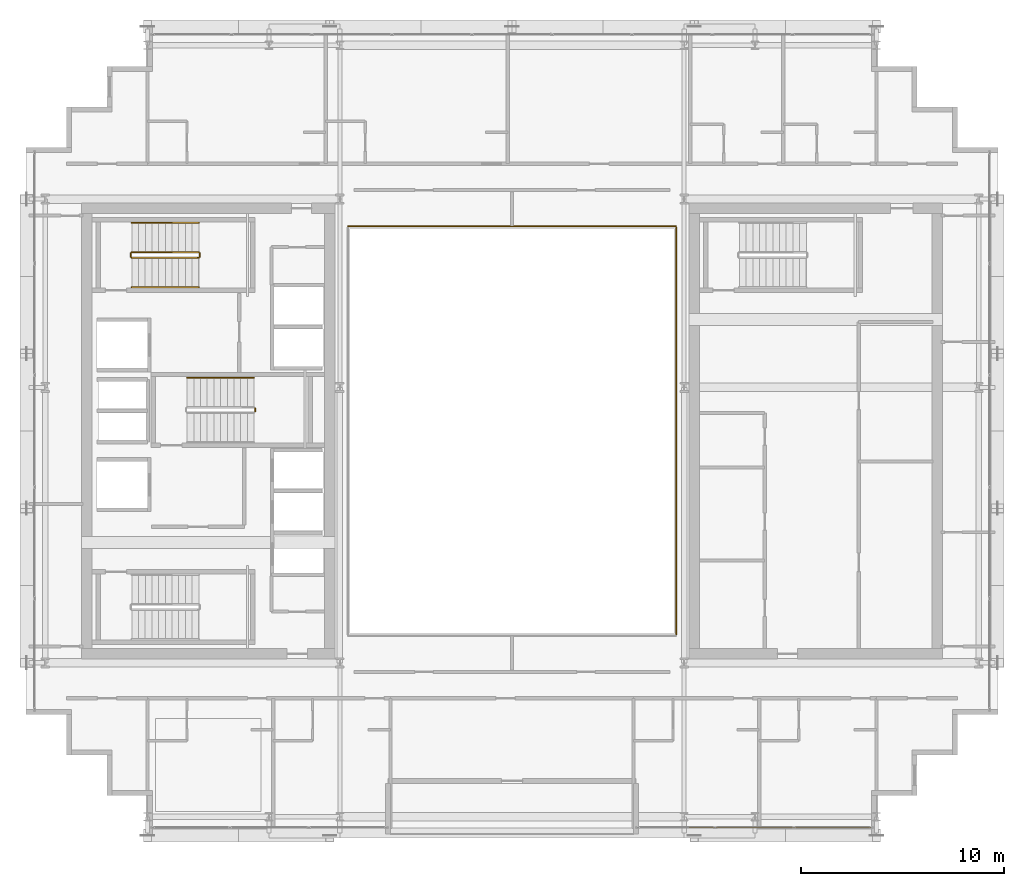
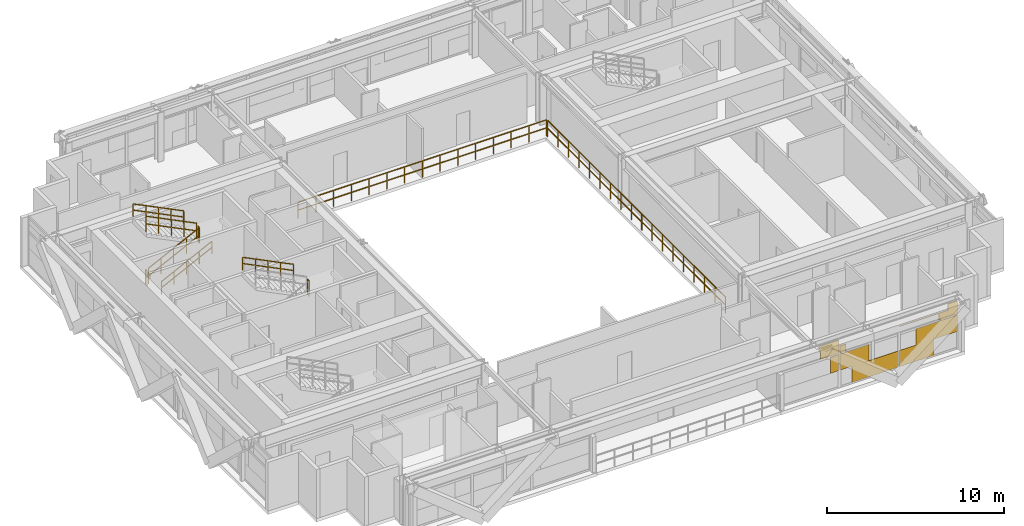
# One storey, part 30 of 32: 10 railings, 1 covering.
"""IFC4 building model written with IfcOpenShell, lengths in metres."""

import ifcopenshell
import ifcopenshell.guid

model = None  # the IFC model being written
_history = None  # IfcOwnerHistory: only IFC2X3 demands one
_inside = {}  # id of a spatial element -> (the spatial element, [elements in it])
_under = {}  # id of a project, library or spatial element -> (it, [spatial elements below it])
_declared = {}  # id of a project -> (the project, [libraries it declares])
_typed = {}  # id of a type object -> (the type object, [elements of that type])
_made_of = {}  # id of a material, layer set ... -> (it, [elements and type objects made of it])


def new_model(schema):
    """Start an empty IFC model of exactly this schema.

    Asked for "IFC4X3", IfcOpenShell would pick the latest addendum, in which some entities
    have other attributes; the version numbers below select the first issue.
    IFC2X3 requires an IfcOwnerHistory on every rooted entity: one is made here for all.
    """
    global model, _history
    if schema == "IFC4X3":
        model = ifcopenshell.file(schema_version=(4, 3, 0, 0))
    else:
        model = ifcopenshell.file(schema=schema)
    _inside.clear()
    _under.clear()
    _declared.clear()
    _typed.clear()
    _made_of.clear()
    _history = None
    if model.schema == "IFC2X3":
        org = make("IfcOrganization", Name="unknown")
        user = make(
            "IfcPersonAndOrganization",
            ThePerson=make("IfcPerson", FamilyName="unknown"),
            TheOrganization=org,
        )
        app = make(
            "IfcApplication",
            ApplicationDeveloper=org,
            Version="unknown",
            ApplicationFullName="unknown",
            ApplicationIdentifier="unknown",
        )
        _history = make(
            "IfcOwnerHistory",
            OwningUser=user,
            OwningApplication=app,
            ChangeAction="ADDED",
            CreationDate=0,
        )
    return model


def make(cls, **values):
    """One entity of the class cls with the attributes given. An attribute that is None is left unset."""
    return model.create_entity(
        cls, **{name: value for name, value in values.items() if value is not None}
    )


def rooted(cls, **values):
    """An entity with a GlobalId (a new one), such as an element, a storey or a relation."""
    return make(cls, GlobalId=ifcopenshell.guid.new(), OwnerHistory=_history, **values)


def si_unit(unit_type, name, prefix=None):
    """IfcSIUnit, for example si_unit("LENGTHUNIT", "METRE", prefix="MILLI")."""
    return make("IfcSIUnit", UnitType=unit_type, Prefix=prefix, Name=name)


def assignment(units):
    """IfcUnitAssignment: the units of a project."""
    return None if units is None else make("IfcUnitAssignment", Units=units)


def point(xyz):
    """IfcCartesianPoint."""
    return None if xyz is None else make("IfcCartesianPoint", Coordinates=xyz)


def direction(xyz):
    """IfcDirection."""
    return None if xyz is None else make("IfcDirection", DirectionRatios=xyz)


def frame(location, z_axis=None, x_axis=None):
    """IfcAxis2Placement3D, a coordinate frame: its origin and axes. An axis left out is left unset."""
    return make(
        "IfcAxis2Placement3D",
        Location=point(location),
        Axis=direction(z_axis),
        RefDirection=direction(x_axis),
    )


def frame_2d(location, x_axis=None):
    """IfcAxis2Placement2D, a coordinate frame in the plane: its origin and x axis."""
    return make(
        "IfcAxis2Placement2D", Location=point(location), RefDirection=direction(x_axis)
    )


def origin():
    """The frame at (0, 0, 0) with its axes left unset."""
    return frame((0.0, 0.0, 0.0))


def origin_2d():
    """The frame at (0, 0) in the plane with its x axis left unset."""
    return frame_2d((0.0, 0.0))


def place(relative_to, where):
    """IfcLocalPlacement: puts the frame where relative to a parent placement (None: the world)."""
    return make(
        "IfcLocalPlacement", PlacementRelTo=relative_to, RelativePlacement=where
    )


def context(
    kind, dimensions, precision=None, world=None, true_north=None, identifier=None
):
    """IfcGeometricRepresentationContext, for example the 3D "Model" context."""
    return make(
        "IfcGeometricRepresentationContext",
        ContextIdentifier=identifier,
        ContextType=kind,
        CoordinateSpaceDimension=dimensions,
        Precision=precision,
        WorldCoordinateSystem=world,
        TrueNorth=true_north,
    )


def subcontext(parent, identifier, kind, view, scale=None):
    """IfcGeometricRepresentationSubContext, for example "Body" below "Model"."""
    return make(
        "IfcGeometricRepresentationSubContext",
        ContextIdentifier=identifier,
        ContextType=kind,
        ParentContext=parent,
        TargetScale=scale,
        TargetView=view,
    )


def project(units=None, contexts=None):
    """IfcProject with its units and contexts."""
    return rooted(
        "IfcProject",
        Name="project",
        RepresentationContexts=contexts,
        UnitsInContext=assignment(units),
    )


def spatial(cls, under=None, at=None, **own):
    """A site, building, storey or space (cls), placed at a placement, below another one or the project."""
    s = rooted(cls, ObjectPlacement=at, **own)
    if under is not None:
        _under.setdefault(under.id(), (under, []))[1].append(s)
    return s


def profile(cls, at=None, kind="AREA", **sizes):
    """A parametric profile (cls). Its sizes go by their IFC names, for example OverallWidth=200.0."""
    return make(cls, ProfileType=kind, Position=at, **sizes)


def rectangle(**sizes):
    """IfcRectangleProfileDef."""
    return profile("IfcRectangleProfileDef", **sizes)


def extrude(swept, where, along, depth):
    """IfcExtrudedAreaSolid: the profile swept, set in the frame where, extruded along a direction by depth."""
    return make(
        "IfcExtrudedAreaSolid",
        SweptArea=swept,
        Position=where,
        ExtrudedDirection=direction(along),
        Depth=depth,
    )


def shape(context_of_items, identifier, shape_type, items):
    """IfcShapeRepresentation: the items that make up one representation, for example the "Body"."""
    return make(
        "IfcShapeRepresentation",
        ContextOfItems=context_of_items,
        RepresentationIdentifier=identifier,
        RepresentationType=shape_type,
        Items=items,
    )


def material(Name=None, Category=None):
    """IfcMaterial."""
    return make("IfcMaterial", Name=Name, Category=Category)


def layer(
    of_material, thickness, ventilated=None, Name=None, Category=None, Priority=None
):
    """IfcMaterialLayer: one layer of a wall or slab, of a material (None: an air gap)."""
    return make(
        "IfcMaterialLayer",
        Material=of_material,
        LayerThickness=thickness,
        IsVentilated=ventilated,
        Name=Name,
        Category=Category,
        Priority=Priority,
    )


def layer_set(layers, Name=None):
    """IfcMaterialLayerSet."""
    return make("IfcMaterialLayerSet", MaterialLayers=layers, LayerSetName=Name)


def made_of(thing, what):
    """Note that an element or type object is made of a material, layer set ...; save() writes the relation."""
    if what is not None:
        _made_of.setdefault(what.id(), (what, []))[1].append(thing)
    return thing


def type_object(cls, material=None, **own):
    """A type object (cls), such as IfcWallType, which elements share."""
    return made_of(rooted(cls, **own), material)


def element(
    cls,
    number,
    at=None,
    inside=None,
    cuts=None,
    type_object=None,
    material=None,
    context=None,
    identifier="Body",
    shape_type=None,
    held_by="IfcProductDefinitionShape",
    body=None,
    shapes=None,
    **own,
):
    """One element of the class cls, such as IfcWall. Its Tag is "e" and its number.

    at: its placement. inside: the storey or other place that contains it. cuts: it is an
    opening in that element (IfcRelVoidsElement). A single representation is given by context,
    identifier, shape_type and body (its items); several are given by shapes. held_by: the class
    of the entity that holds the representations. save() writes the other relations.
    """
    e = rooted(cls, Tag="e%d" % number, ObjectPlacement=at, **own)
    if body is not None:
        shapes = [shape(context, identifier, shape_type, body)]
    if shapes is not None:
        e.Representation = make(held_by, Representations=shapes)
    if inside is not None:
        _inside.setdefault(inside.id(), (inside, []))[1].append(e)
    if cuts is not None:
        rooted(
            "IfcRelVoidsElement", RelatingBuildingElement=cuts, RelatedOpeningElement=e
        )
    if type_object is not None:
        _typed.setdefault(type_object.id(), (type_object, []))[1].append(e)
    return made_of(e, material)


def aggregate(whole, parts):
    """IfcRelAggregates: a whole, such as a stair, and the parts it consists of."""
    return rooted("IfcRelAggregates", RelatingObject=whole, RelatedObjects=parts)


def save(model, path):
    """Write the relations noted so far, then the file.

    IfcRelAggregates (storeys below a building ...), IfcRelContainedInSpatialStructure (elements
    in a storey), IfcRelDefinesByType, IfcRelAssociatesMaterial and IfcRelDeclares: one each for
    every whole, place, type object, material and project.
    """
    for whole, parts in _under.values():
        aggregate(whole, parts)
    for where, things in _inside.values():
        rooted(
            "IfcRelContainedInSpatialStructure",
            RelatedElements=things,
            RelatingStructure=where,
        )
    for kind, things in _typed.values():
        rooted("IfcRelDefinesByType", RelatedObjects=things, RelatingType=kind)
    for what, things in _made_of.values():
        rooted("IfcRelAssociatesMaterial", RelatedObjects=things, RelatingMaterial=what)
    for by, libraries in _declared.values():
        rooted("IfcRelDeclares", RelatingContext=by, RelatedDefinitions=libraries)
    model.write(path)


model = new_model("IFC4")

# Units and contexts
model_context = context("Model", 3, precision=1e-05, world=origin(), true_north=direction((0.0, 1.0)))
body_context = subcontext(model_context, "Body", "Model", "MODEL_VIEW")
ifc_project = project(units=[si_unit("LENGTHUNIT", "METRE"), si_unit("AREAUNIT", "SQUARE_METRE"), si_unit("VOLUMEUNIT", "CUBIC_METRE"), si_unit("PLANEANGLEUNIT", "RADIAN"), si_unit("MASSUNIT", "GRAM", prefix="KILO")], contexts=[model_context])

# Site, building, storey
site_placement = place(None, origin())
site = spatial("IfcSite", under=ifc_project, at=site_placement, CompositionType="ELEMENT")
building_placement = place(site_placement, origin())
building = spatial("IfcBuilding", under=site, at=building_placement, Name="Ocotamira Hotel", CompositionType="ELEMENT")
storey_placement = place(building_placement, frame((0.0, 0.0, 177.60009765625)))
storey = spatial("IfcBuildingStorey", under=building, at=storey_placement, Name="L44", CompositionType="ELEMENT", Elevation=177.60009765625)

# Covering
ifc_material_1 = material(Name="Insulated pale-metal aluminium spandrel panel", Category="aluminium")
ifc_layer = layer(ifc_material_1, 0.044921875)
ifc_layer_set = layer_set([ifc_layer], Name="Insulated pale-metal aluminium spandrel panel")
covering_type = type_object("IfcCoveringType", Name="COV-INFILL-45", PredefinedType="CLADDING", material=ifc_layer_set)
covering_placement = place(storey_placement, origin())
element("IfcCovering", 1, at=covering_placement, inside=storey, type_object=covering_type, Name="L44 Curtain Wall Infill CW-4 CW-L44-S2", PredefinedType="CLADDING", context=body_context, shape_type="SweptSolid", body=[
    extrude(rectangle(XDim=0.543212890625, YDim=0.044921875, at=origin_2d()), frame((41.72119140625, 6.419921875, 1.19384765625), z_axis=(0.0, 0.0, 1.0), x_axis=(1.0, 0.0, 0.0)), (0.0, 0.0, 1.0), 1.117919921875),
    extrude(rectangle(XDim=1.23046875, YDim=0.044921875, at=origin_2d()), frame((41.377685546875, 6.419921875, 2.83154296875), z_axis=(0.0, 0.0, 1.0), x_axis=(1.0, 0.0, 0.0)), (0.0, 0.0, 1.0), 0.462890625),
    extrude(rectangle(XDim=1.19140625, YDim=0.044921875, at=origin_2d()), frame((41.397216796875, 6.419921875, 2.3876953125), z_axis=(0.0, 0.0, 1.0), x_axis=(1.0, 0.0, 0.0)), (0.0, 0.0, 1.0), 0.442626953125),
    extrude(rectangle(XDim=1.893798828125, YDim=0.044921875, at=origin_2d()), frame((43.020751953125, 6.419921875, 1.19384765625), z_axis=(0.0, 0.0, 1.0), x_axis=(1.0, 0.0, 0.0)), (0.0, 0.0, 1.0), 1.117919921875),
    extrude(rectangle(XDim=3.028076171875, YDim=0.044921875, at=origin_2d()), frame((44.362060546875, 6.419921875, 0.075439453125), z_axis=(0.0, 0.0, 1.0), x_axis=(1.0, 0.0, 0.0)), (0.0, 0.0, 1.0), 1.11767578125),
    extrude(rectangle(XDim=0.401611328125, YDim=0.044921875, at=origin_2d()), frame((42.274658203125, 6.419921875, 2.3876953125), z_axis=(0.0, 0.0, 1.0), x_axis=(1.0, 0.0, 0.0)), (0.0, 0.0, 1.0), 0.473876953125),
    extrude(rectangle(XDim=2.19482421875, YDim=0.044921875, at=origin_2d()), frame((47.0546875, 6.419921875, 0.075439453125), z_axis=(0.0, 0.0, 1.0), x_axis=(1.0, 0.0, 0.0)), (0.0, 0.0, 1.0), 1.11767578125),
    extrude(rectangle(XDim=2.68701171875, YDim=0.044921875, at=origin_2d()), frame((48.3759765625, 6.419921875, 1.19384765625), z_axis=(0.0, 0.0, 1.0), x_axis=(1.0, 0.0, 0.0)), (0.0, 0.0, 1.0), 1.117919921875),
    extrude(rectangle(XDim=3.76220703125, YDim=0.044921875, at=origin_2d()), frame((47.83837890625, 6.419921875, 2.83154296875), z_axis=(0.0, 0.0, 1.0), x_axis=(1.0, 0.0, 0.0)), (0.0, 0.0, 1.0), 0.0302734375),
    extrude(rectangle(XDim=1.19482421875, YDim=0.044921875, at=origin_2d()), frame((49.1220703125, 6.419921875, 2.3876953125), z_axis=(0.0, 0.0, 1.0), x_axis=(1.0, 0.0, 0.0)), (0.0, 0.0, 1.0), 0.442626953125),
    extrude(rectangle(XDim=0.601318359375, YDim=0.044921875, at=origin_2d()), frame((49.418701171875, 6.419921875, 2.86279296875), z_axis=(0.0, 0.0, 1.0), x_axis=(1.0, 0.0, 0.0)), (0.0, 0.0, 1.0), 0.431640625),
])

# Railings
ifc_material_2 = material(Name="Painted steel stair guardrail", Category="steel")
railing_type_1 = type_object("IfcRailingType", Name="RL-EDGE-1150", PredefinedType="GUARDRAIL", material=ifc_material_2)
railing_1_placement = place(storey_placement, frame((40.1201171875, 15.9599609375, 0.0)))
element("IfcRailing", 2, at=railing_1_placement, inside=storey, type_object=railing_type_1, Name="L44 Central Atrium Edge Guardrail E", PredefinedType="GUARDRAIL", context=body_context, shape_type="SweptSolid", body=[
    extrude(rectangle(XDim=0.048095703125, YDim=0.048095703125, at=origin_2d()), frame((0.0, 0.0, 1.1259765625), z_axis=(0.0, 1.0, 0.0), x_axis=(-1.0, 0.0, 0.0)), (0.0, 0.0, 1.0), 20.080078125),
    extrude(rectangle(XDim=0.048095703125, YDim=0.048095703125, at=origin_2d()), frame((0.0, 0.0, 0.574951171875), z_axis=(0.0, 1.0, 0.0), x_axis=(-1.0, 0.0, 0.0)), (0.0, 0.0, 1.0), 20.080078125),
    extrude(rectangle(XDim=0.0419921875, YDim=0.0419921875, at=origin_2d()), origin(), (0.0, 0.0, 1.0), 1.101806640625),
    extrude(rectangle(XDim=0.0419921875, YDim=0.0419921875, at=origin_2d()), frame((0.0, 1.18115234375, 0.0)), (0.0, 0.0, 1.0), 1.101806640625),
    extrude(rectangle(XDim=0.0419921875, YDim=0.0419921875, at=origin_2d()), frame((0.0, 2.3623046875, 0.0)), (0.0, 0.0, 1.0), 1.101806640625),
    extrude(rectangle(XDim=0.0419921875, YDim=0.0419921875, at=origin_2d()), frame((0.0, 3.54345703125, 0.0)), (0.0, 0.0, 1.0), 1.101806640625),
    extrude(rectangle(XDim=0.0419921875, YDim=0.0419921875, at=origin_2d()), frame((0.0, 4.724609375, 0.0)), (0.0, 0.0, 1.0), 1.101806640625),
    extrude(rectangle(XDim=0.0419921875, YDim=0.0419921875, at=origin_2d()), frame((0.0, 5.906005859375, 0.0)), (0.0, 0.0, 1.0), 1.101806640625),
    extrude(rectangle(XDim=0.0419921875, YDim=0.0419921875, at=origin_2d()), frame((0.0, 7.087158203125, 0.0)), (0.0, 0.0, 1.0), 1.101806640625),
    extrude(rectangle(XDim=0.0419921875, YDim=0.0419921875, at=origin_2d()), frame((0.0, 8.268310546875, 0.0)), (0.0, 0.0, 1.0), 1.101806640625),
    extrude(rectangle(XDim=0.0419921875, YDim=0.0419921875, at=origin_2d()), frame((0.0, 9.449462890625, 0.0)), (0.0, 0.0, 1.0), 1.101806640625),
    extrude(rectangle(XDim=0.0419921875, YDim=0.0419921875, at=origin_2d()), frame((0.0, 10.630615234375, 0.0)), (0.0, 0.0, 1.0), 1.101806640625),
    extrude(rectangle(XDim=0.0419921875, YDim=0.0419921875, at=origin_2d()), frame((0.0, 11.811767578125, 0.0)), (0.0, 0.0, 1.0), 1.101806640625),
    extrude(rectangle(XDim=0.0419921875, YDim=0.0419921875, at=origin_2d()), frame((0.0, 12.992919921875, 0.0)), (0.0, 0.0, 1.0), 1.101806640625),
    extrude(rectangle(XDim=0.0419921875, YDim=0.0419921875, at=origin_2d()), frame((0.0, 14.174072265625, 0.0)), (0.0, 0.0, 1.0), 1.101806640625),
    extrude(rectangle(XDim=0.0419921875, YDim=0.0419921875, at=origin_2d()), frame((0.0, 15.35546875, 0.0)), (0.0, 0.0, 1.0), 1.101806640625),
    extrude(rectangle(XDim=0.0419921875, YDim=0.0419921875, at=origin_2d()), frame((0.0, 16.53662109375, 0.0)), (0.0, 0.0, 1.0), 1.101806640625),
    extrude(rectangle(XDim=0.0419921875, YDim=0.0419921875, at=origin_2d()), frame((0.0, 17.7177734375, 0.0)), (0.0, 0.0, 1.0), 1.101806640625),
    extrude(rectangle(XDim=0.0419921875, YDim=0.0419921875, at=origin_2d()), frame((0.0, 18.89892578125, 0.0)), (0.0, 0.0, 1.0), 1.101806640625),
    extrude(rectangle(XDim=0.0419921875, YDim=0.0419921875, at=origin_2d()), frame((0.0, 20.080078125, 0.0)), (0.0, 0.0, 1.0), 1.101806640625),
])
railing_2_placement = place(storey_placement, frame((40.10009765625, 36.1201171875, 0.0)))
element("IfcRailing", 3, at=railing_2_placement, inside=storey, type_object=railing_type_1, Name="L44 Central Atrium Edge Guardrail N", PredefinedType="GUARDRAIL", context=body_context, shape_type="SweptSolid", body=[
    extrude(rectangle(XDim=0.048095703125, YDim=0.048095703125, at=origin_2d()), frame((0.0, 0.0, 1.1259765625), z_axis=(-1.0, 0.0, 0.0), x_axis=(0.0, -1.0, 0.0)), (0.0, 0.0, 1.0), 16.2001953125),
    extrude(rectangle(XDim=0.048095703125, YDim=0.048095703125, at=origin_2d()), frame((0.0, 0.0, 0.574951171875), z_axis=(-1.0, 0.0, 0.0), x_axis=(0.0, -1.0, 0.0)), (0.0, 0.0, 1.0), 16.2001953125),
    extrude(rectangle(XDim=0.0419921875, YDim=0.0419921875, at=origin_2d()), origin(), (0.0, 0.0, 1.0), 1.101806640625),
    extrude(rectangle(XDim=0.0419921875, YDim=0.0419921875, at=origin_2d()), frame((-1.1572265625, 0.0, 0.0)), (0.0, 0.0, 1.0), 1.101806640625),
    extrude(rectangle(XDim=0.0419921875, YDim=0.0419921875, at=origin_2d()), frame((-2.314208984375, 0.0, 0.0)), (0.0, 0.0, 1.0), 1.101806640625),
    extrude(rectangle(XDim=0.0419921875, YDim=0.0419921875, at=origin_2d()), frame((-3.471435546875, 0.0, 0.0)), (0.0, 0.0, 1.0), 1.101806640625),
    extrude(rectangle(XDim=0.0419921875, YDim=0.0419921875, at=origin_2d()), frame((-4.628662109375, 0.0, 0.0)), (0.0, 0.0, 1.0), 1.101806640625),
    extrude(rectangle(XDim=0.0419921875, YDim=0.0419921875, at=origin_2d()), frame((-5.785888671875, 0.0, 0.0)), (0.0, 0.0, 1.0), 1.101806640625),
    extrude(rectangle(XDim=0.0419921875, YDim=0.0419921875, at=origin_2d()), frame((-6.94287109375, 0.0, 0.0)), (0.0, 0.0, 1.0), 1.101806640625),
    extrude(rectangle(XDim=0.0419921875, YDim=0.0419921875, at=origin_2d()), frame((-8.10009765625, 0.0, 0.0)), (0.0, 0.0, 1.0), 1.101806640625),
    extrude(rectangle(XDim=0.0419921875, YDim=0.0419921875, at=origin_2d()), frame((-9.25732421875, 0.0, 0.0)), (0.0, 0.0, 1.0), 1.101806640625),
    extrude(rectangle(XDim=0.0419921875, YDim=0.0419921875, at=origin_2d()), frame((-10.414306640625, 0.0, 0.0)), (0.0, 0.0, 1.0), 1.101806640625),
    extrude(rectangle(XDim=0.0419921875, YDim=0.0419921875, at=origin_2d()), frame((-11.571533203125, 0.0, 0.0)), (0.0, 0.0, 1.0), 1.101806640625),
    extrude(rectangle(XDim=0.0419921875, YDim=0.0419921875, at=origin_2d()), frame((-12.728759765625, 0.0, 0.0)), (0.0, 0.0, 1.0), 1.101806640625),
    extrude(rectangle(XDim=0.0419921875, YDim=0.0419921875, at=origin_2d()), frame((-13.885986328125, 0.0, 0.0)), (0.0, 0.0, 1.0), 1.101806640625),
    extrude(rectangle(XDim=0.0419921875, YDim=0.0419921875, at=origin_2d()), frame((-15.04296875, 0.0, 0.0)), (0.0, 0.0, 1.0), 1.101806640625),
    extrude(rectangle(XDim=0.0419921875, YDim=0.0419921875, at=origin_2d()), frame((-16.2001953125, 0.0, 0.0)), (0.0, 0.0, 1.0), 1.101806640625),
])
ifc_material_3 = material(Name="Brushed stainless steel handrail", Category="steel")
railing_type_2 = type_object("IfcRailingType", Name="RL-HAND-900", PredefinedType="HANDRAIL", material=ifc_material_3)
railing_3_placement = place(storey_placement, frame((13.22998046875, 33.10009765625, 0.3271484375)))
element("IfcRailing", 4, at=railing_3_placement, inside=storey, type_object=railing_type_2, Name="L44 ST-2 stair handrail 1", PredefinedType="HANDRAIL", context=body_context, shape_type="SweptSolid", body=[
    extrude(rectangle(XDim=0.048095703125, YDim=0.048095703125, at=origin_2d()), frame((0.0, 0.0, 0.8759765625), z_axis=(0.895893744519, 0.0, 0.4442683857), x_axis=(0.0, 1.0, 0.0)), (0.0, 0.0, 1.0), 3.68359375),
    extrude(rectangle(XDim=0.048095703125, YDim=0.048095703125, at=origin_2d()), frame((0.0, 0.0, 0.449951171875), z_axis=(0.895893744519, 0.0, 0.4442683857), x_axis=(0.0, 1.0, 0.0)), (0.0, 0.0, 1.0), 3.68359375),
    extrude(rectangle(XDim=0.0419921875, YDim=0.0419921875, at=origin_2d()), origin(), (0.0, 0.0, 1.0), 0.851806640625),
    extrude(rectangle(XDim=0.0419921875, YDim=0.0419921875, at=origin_2d()), frame((0.824951171875, 0.0, 0.4091796875)), (0.0, 0.0, 1.0), 0.851806640625),
    extrude(rectangle(XDim=0.0419921875, YDim=0.0419921875, at=origin_2d()), frame((1.64990234375, 0.0, 0.818359375)), (0.0, 0.0, 1.0), 0.851806640625),
    extrude(rectangle(XDim=0.0419921875, YDim=0.0419921875, at=origin_2d()), frame((2.47509765625, 0.0, 1.227294921875)), (0.0, 0.0, 1.0), 0.851806640625),
    extrude(rectangle(XDim=0.0419921875, YDim=0.0419921875, at=origin_2d()), frame((3.300048828125, 0.0, 1.636474609375)), (0.0, 0.0, 1.0), 0.851806640625),
])
for number, where, name in (
    (5, (16.530029296875, 36.280029296875, 2.127197265625), "L44 ST-2 stair handrail 2"),
    (6, (19.260009765625, 28.6298828125, 2.127197265625), "L44 ST-3 stair handrail 2"),
):
    element("IfcRailing", number, at=place(storey_placement, frame(where)), inside=storey, type_object=railing_type_2, Name=name, PredefinedType="HANDRAIL", context=body_context, shape_type="SweptSolid", body=[
        extrude(rectangle(XDim=0.048095703125, YDim=0.048095703125, at=origin_2d()), frame((0.0, 0.0, 0.8759765625), z_axis=(-0.895920123917, 0.0, 0.444215186098), x_axis=(0.0, -1.0, 0.0)), (0.0, 0.0, 1.0), 3.683349609375),
        extrude(rectangle(XDim=0.048095703125, YDim=0.048095703125, at=origin_2d()), frame((0.0, 0.0, 0.449951171875), z_axis=(-0.895920123917, 0.0, 0.444215186098), x_axis=(0.0, -1.0, 0.0)), (0.0, 0.0, 1.0), 3.683349609375),
        extrude(rectangle(XDim=0.0419921875, YDim=0.0419921875, at=origin_2d()), origin(), (0.0, 0.0, 1.0), 0.851806640625),
        extrude(rectangle(XDim=0.0419921875, YDim=0.0419921875, at=origin_2d()), frame((-0.824951171875, 0.0, 0.4091796875)), (0.0, 0.0, 1.0), 0.851806640625),
        extrude(rectangle(XDim=0.0419921875, YDim=0.0419921875, at=origin_2d()), frame((-1.64990234375, 0.0, 0.818115234375)), (0.0, 0.0, 1.0), 0.851806640625),
        extrude(rectangle(XDim=0.0419921875, YDim=0.0419921875, at=origin_2d()), frame((-2.47509765625, 0.0, 1.22705078125)), (0.0, 0.0, 1.0), 0.851806640625),
        extrude(rectangle(XDim=0.0419921875, YDim=0.0419921875, at=origin_2d()), frame((-3.300048828125, 0.0, 1.63623046875)), (0.0, 0.0, 1.0), 0.851806640625),
    ])
railing_type_3 = type_object("IfcRailingType", Name="RL-STAIR-1100", PredefinedType="GUARDRAIL", material=ifc_material_2)
railing_4_placement = place(storey_placement, frame((13.22998046875, 34.56005859375, 0.16357421875)))
element("IfcRailing", 7, at=railing_4_placement, inside=storey, type_object=railing_type_3, Name="L44 ST-2 stair guard 1", PredefinedType="GUARDRAIL", context=body_context, shape_type="SweptSolid", body=[
    extrude(rectangle(XDim=0.048095703125, YDim=0.048095703125, at=origin_2d()), frame((0.0, 0.0, 1.076171875), z_axis=(0.895920123917, 0.0, 0.444215186098), x_axis=(0.0, 1.0, 0.0)), (0.0, 0.0, 1.0), 3.683349609375),
    extrude(rectangle(XDim=0.048095703125, YDim=0.048095703125, at=origin_2d()), frame((0.0, 0.0, 0.550048828125), z_axis=(0.895920123917, 0.0, 0.444215186098), x_axis=(0.0, 1.0, 0.0)), (0.0, 0.0, 1.0), 3.683349609375),
    extrude(rectangle(XDim=0.0419921875, YDim=0.0419921875, at=origin_2d()), origin(), (0.0, 0.0, 1.0), 1.052001953125),
    extrude(rectangle(XDim=0.0419921875, YDim=0.0419921875, at=origin_2d()), frame((0.824951171875, 0.0, 0.4091796875)), (0.0, 0.0, 1.0), 1.052001953125),
    extrude(rectangle(XDim=0.0419921875, YDim=0.0419921875, at=origin_2d()), frame((1.64990234375, 0.0, 0.818115234375)), (0.0, 0.0, 1.0), 1.052001953125),
    extrude(rectangle(XDim=0.0419921875, YDim=0.0419921875, at=origin_2d()), frame((2.47509765625, 0.0, 1.22705078125)), (0.0, 0.0, 1.0), 1.052001953125),
    extrude(rectangle(XDim=0.0419921875, YDim=0.0419921875, at=origin_2d()), frame((3.300048828125, 0.0, 1.63623046875)), (0.0, 0.0, 1.0), 1.052001953125),
])
railing_5_placement = place(storey_placement, frame((16.580078125, 34.610107421875, 1.7998046875)))
element("IfcRailing", 8, at=railing_5_placement, inside=storey, type_object=railing_type_3, Name="L44 ST-2 stair guard 2", PredefinedType="GUARDRAIL", context=body_context, shape_type="SweptSolid", body=[
    extrude(rectangle(XDim=0.048095703125, YDim=0.048095703125, at=origin_2d()), frame((0.0, 0.0, 1.076171875), z_axis=(0.0, 1.0, 0.0), x_axis=(-1.0, 0.0, 0.0)), (0.0, 0.0, 1.0), 0.159912109375),
    extrude(rectangle(XDim=0.048095703125, YDim=0.048095703125, at=origin_2d()), frame((0.0, 0.0, 0.550048828125), z_axis=(0.0, 1.0, 0.0), x_axis=(-1.0, 0.0, 0.0)), (0.0, 0.0, 1.0), 0.159912109375),
    extrude(rectangle(XDim=0.0419921875, YDim=0.0419921875, at=origin_2d()), origin(), (0.0, 0.0, 1.0), 1.052001953125),
    extrude(rectangle(XDim=0.0419921875, YDim=0.0419921875, at=origin_2d()), frame((0.0, 0.159912109375, 0.0)), (0.0, 0.0, 1.0), 1.052001953125),
])
railing_6_placement = place(storey_placement, frame((16.530029296875, 34.820068359375, 1.963623046875)))
element("IfcRailing", 9, at=railing_6_placement, inside=storey, type_object=railing_type_3, Name="L44 ST-2 stair guard 3", PredefinedType="GUARDRAIL", context=body_context, shape_type="SweptSolid", body=[
    extrude(rectangle(XDim=0.048095703125, YDim=0.048095703125, at=origin_2d()), frame((0.0, 0.0, 1.076171875), z_axis=(-0.895920123917, 0.0, 0.444215186098), x_axis=(0.0, -1.0, 0.0)), (0.0, 0.0, 1.0), 3.683349609375),
    extrude(rectangle(XDim=0.048095703125, YDim=0.048095703125, at=origin_2d()), frame((0.0, 0.0, 0.550048828125), z_axis=(-0.895920123917, 0.0, 0.444215186098), x_axis=(0.0, -1.0, 0.0)), (0.0, 0.0, 1.0), 3.683349609375),
    extrude(rectangle(XDim=0.0419921875, YDim=0.0419921875, at=origin_2d()), origin(), (0.0, 0.0, 1.0), 1.052001953125),
    extrude(rectangle(XDim=0.0419921875, YDim=0.0419921875, at=origin_2d()), frame((-0.824951171875, 0.0, 0.4091796875)), (0.0, 0.0, 1.0), 1.052001953125),
    extrude(rectangle(XDim=0.0419921875, YDim=0.0419921875, at=origin_2d()), frame((-1.64990234375, 0.0, 0.818115234375)), (0.0, 0.0, 1.0), 1.052001953125),
    extrude(rectangle(XDim=0.0419921875, YDim=0.0419921875, at=origin_2d()), frame((-2.47509765625, 0.0, 1.22705078125)), (0.0, 0.0, 1.0), 1.052001953125),
    extrude(rectangle(XDim=0.0419921875, YDim=0.0419921875, at=origin_2d()), frame((-3.300048828125, 0.0, 1.63623046875)), (0.0, 0.0, 1.0), 1.052001953125),
])
railing_7_placement = place(storey_placement, frame((13.179931640625, 34.610107421875, 0.0)))
element("IfcRailing", 10, at=railing_7_placement, inside=storey, type_object=railing_type_3, Name="L44 ST-2 stair guard 4", PredefinedType="GUARDRAIL", context=body_context, shape_type="SweptSolid", body=[
    extrude(rectangle(XDim=0.048095703125, YDim=0.048095703125, at=origin_2d()), frame((0.0, 0.0, 1.076171875), z_axis=(0.0, 1.0, 0.0), x_axis=(-1.0, 0.0, 0.0)), (0.0, 0.0, 1.0), 0.159912109375),
    extrude(rectangle(XDim=0.048095703125, YDim=0.048095703125, at=origin_2d()), frame((0.0, 0.0, 0.550048828125), z_axis=(0.0, 1.0, 0.0), x_axis=(-1.0, 0.0, 0.0)), (0.0, 0.0, 1.0), 0.159912109375),
    extrude(rectangle(XDim=0.0419921875, YDim=0.0419921875, at=origin_2d()), origin(), (0.0, 0.0, 1.0), 1.052001953125),
    extrude(rectangle(XDim=0.0419921875, YDim=0.0419921875, at=origin_2d()), frame((0.0, 0.159912109375, 0.0)), (0.0, 0.0, 1.0), 1.052001953125),
])
railing_8_placement = place(storey_placement, frame((19.31005859375, 26.9599609375, 1.7998046875)))
element("IfcRailing", 11, at=railing_8_placement, inside=storey, type_object=railing_type_3, Name="L44 ST-3 stair guard 2", PredefinedType="GUARDRAIL", context=body_context, shape_type="SweptSolid", body=[
    extrude(rectangle(XDim=0.048095703125, YDim=0.048095703125, at=origin_2d()), frame((0.0, 0.0, 1.076171875), z_axis=(0.0, 1.0, 0.0), x_axis=(-1.0, 0.0, 0.0)), (0.0, 0.0, 1.0), 0.16015625),
    extrude(rectangle(XDim=0.048095703125, YDim=0.048095703125, at=origin_2d()), frame((0.0, 0.0, 0.550048828125), z_axis=(0.0, 1.0, 0.0), x_axis=(-1.0, 0.0, 0.0)), (0.0, 0.0, 1.0), 0.16015625),
    extrude(rectangle(XDim=0.0419921875, YDim=0.0419921875, at=origin_2d()), origin(), (0.0, 0.0, 1.0), 1.052001953125),
    extrude(rectangle(XDim=0.0419921875, YDim=0.0419921875, at=origin_2d()), frame((0.0, 0.16015625, 0.0)), (0.0, 0.0, 1.0), 1.052001953125),
])

save(model, "model.ifc")
